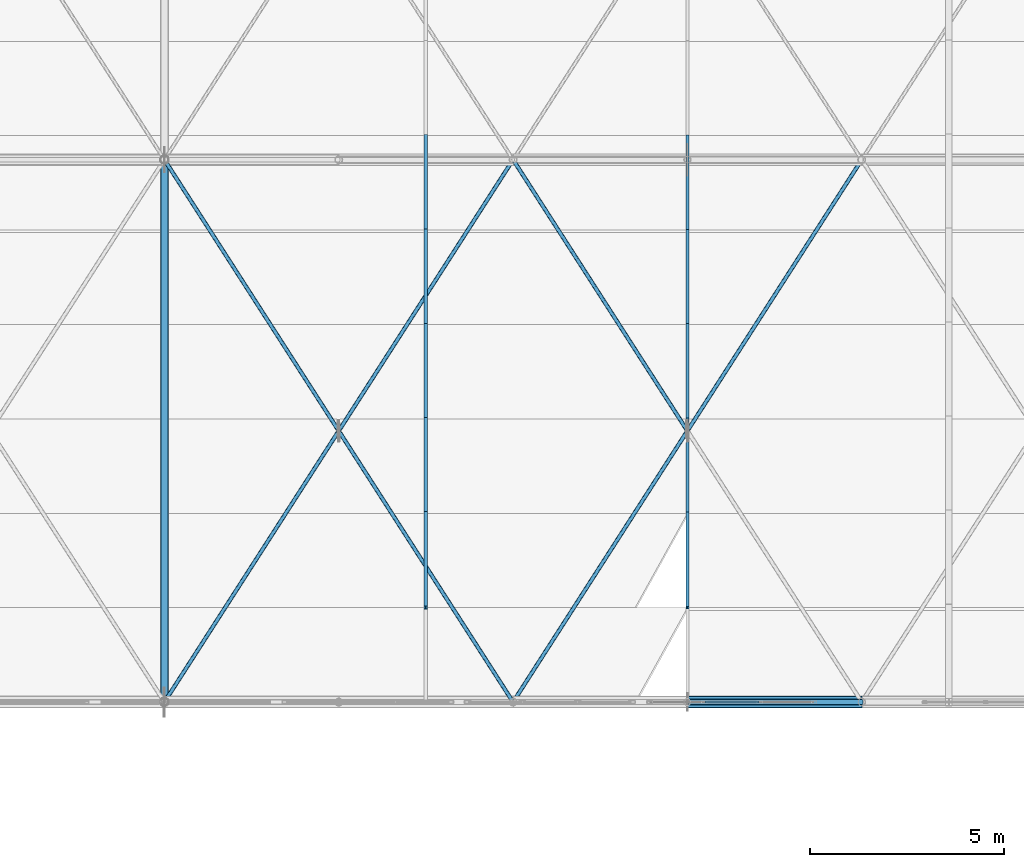
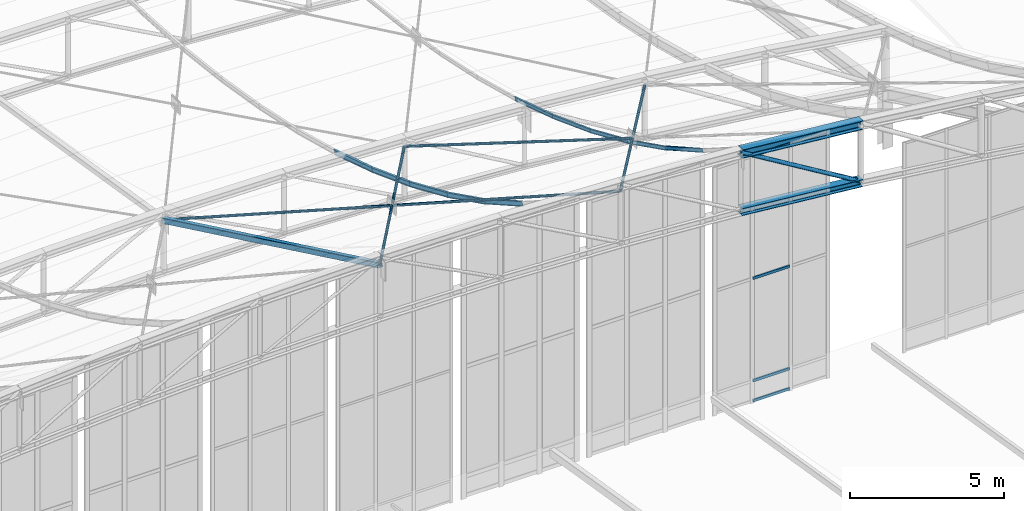
# One storey, part 149 of 262: 23 members, 1 element without a shape of its own.
"""IFC4 building model written with IfcOpenShell, lengths in metres."""

from ifc_helpers import new_model, si_unit, derived_unit, direction, frame, origin, origin_2d, place, context, subcontext, project, spatial, hollow_rectangle, hollow_circle, i_section, extrude, material, layer, layer_set, material_profile, profile_set, type_object, element, aggregate, save


model = new_model("IFC4")

# Units and contexts
model_context = context("Model", 3, precision=1e-05, world=origin(), true_north=direction((0.0, 1.0)))
body_context = subcontext(model_context, "Body", "Model", "MODEL_VIEW")
ifc_project = project(units=[si_unit("LENGTHUNIT", "METRE"), si_unit("AREAUNIT", "SQUARE_METRE"), si_unit("VOLUMEUNIT", "CUBIC_METRE"), si_unit("PLANEANGLEUNIT", "RADIAN"), si_unit("MASSUNIT", "GRAM", prefix="KILO"), derived_unit("THERMALTRANSMITTANCEUNIT", [(si_unit("POWERUNIT", "WATT"), 1), (si_unit("LENGTHUNIT", "METRE"), -2), (si_unit("THERMODYNAMICTEMPERATUREUNIT", "KELVIN"), -1)])], contexts=[model_context])

# Site, building, storey
site_placement = place(None, origin())
site = spatial("IfcSite", under=ifc_project, at=site_placement, CompositionType="ELEMENT")
building_placement = place(site_placement, origin())
building = spatial("IfcBuilding", under=site, at=building_placement, Name="Almenara Railside Exhibition Hall", CompositionType="ELEMENT")
storey_placement = place(building_placement, frame((0.0, 0.0, 21.699951171875)))
storey = spatial("IfcBuildingStorey", under=building, at=storey_placement, Name="RF", CompositionType="ELEMENT", Elevation=21.699951171875)

# Members
ifc_material_1 = material(Name="Structural steel S355JR", Category="steel")
ifc_material_profile_1 = material_profile(ifc_material_1, i_section(OverallWidth=0.280029296875, OverallDepth=0.280029296875, WebThickness=0.010498046875, FlangeThickness=0.01806640625, FilletRadius=0.02392578125, at=origin_2d()), Name="HEB 280")
ifc_profile_set_1 = profile_set([ifc_material_profile_1], Name="Structural steel S355JR")
member_type_1 = type_object("IfcMemberType", Name="Arched Gable Bottom Chord HEB 280 S355JR", PredefinedType="CHORD", material=ifc_profile_set_1)
member_1_placement = place(storey_placement, frame((178.5, 34.0, 1.050048828125), z_axis=(0.995512933083, 0.0, -0.094625578275), x_axis=(0.0, 1.0, 0.0)))
element("IfcMember", 1, at=member_1_placement, inside=storey, type_object=member_type_1, Name="MEM-BC-V2-00-09", PredefinedType="CHORD", context=body_context, shape_type="SweptSolid", body=[
    extrude(i_section(OverallWidth=0.280029296875, OverallDepth=0.280029296875, WebThickness=0.010498046875, FlangeThickness=0.01806640625, FilletRadius=0.02392578125, at=origin_2d()), origin(), (0.0, 0.0, 1.0), 4.520263671875),
])
ifc_material_profile_2 = material_profile(ifc_material_1, i_section(OverallWidth=0.300048828125, OverallDepth=0.340087890625, WebThickness=0.011962890625, FlangeThickness=0.021484375, FilletRadius=0.027099609375, at=origin_2d()), Name="HEB 340")
ifc_profile_set_2 = profile_set([ifc_material_profile_2], Name="Structural steel S355JR")
member_type_2 = type_object("IfcMemberType", Name="Arched Gable Top Chord HEB 340 S355JR", PredefinedType="CHORD", material=ifc_profile_set_2)
member_2_placement = place(storey_placement, frame((178.5, 34.0, 3.35009765625), z_axis=(0.995512933083, 0.0, -0.094625578275), x_axis=(0.0, 1.0, 0.0)))
element("IfcMember", 2, at=member_2_placement, inside=storey, type_object=member_type_2, Name="MEM-TC-V2-00-09", PredefinedType="CHORD", context=body_context, shape_type="SweptSolid", body=[
    extrude(i_section(OverallWidth=0.300048828125, OverallDepth=0.340087890625, WebThickness=0.011962890625, FlangeThickness=0.021484375, FilletRadius=0.027099609375, at=origin_2d()), origin(), (0.0, 0.0, 1.0), 4.520263671875),
])
ifc_material_profile_3 = material_profile(ifc_material_1, i_section(OverallWidth=0.072998046875, OverallDepth=0.139892578125, WebThickness=0.004638671875, FlangeThickness=0.0068359375, FilletRadius=0.007080078125, at=origin_2d()), Name="IPE 140")
ifc_profile_set_3 = profile_set([ifc_material_profile_3], Name="Structural steel S355JR")
member_type_3 = type_object("IfcMemberType", Name="Canopy Edge Purlin IPE 140 S355JR", PredefinedType="PURLIN", material=ifc_profile_set_3)
member_3_placement = place(storey_placement, frame((178.5, 36.436767578125, 1.9375), z_axis=(0.0, 0.870445855666, -0.492264169277), x_axis=(-1.0, 0.0, 0.0)))
element("IfcMember", 3, at=member_3_placement, inside=storey, type_object=member_type_3, Name="MEM-PR-V2-PR-IPE140-06-01", PredefinedType="PURLIN", context=body_context, shape_type="SweptSolid", body=[
    extrude(i_section(OverallWidth=0.072998046875, OverallDepth=0.139892578125, WebThickness=0.004638671875, FlangeThickness=0.0068359375, FilletRadius=0.007080078125, at=origin_2d()), origin(), (0.0, 0.0, 1.0), 2.799072265625),
])
member_4_placement = place(storey_placement, frame((178.5, 38.873291015625, 0.55078125), z_axis=(0.0, 0.895376074457, -0.445310773831), x_axis=(-1.0, 0.0, 0.0)))
element("IfcMember", 4, at=member_4_placement, inside=storey, type_object=member_type_3, Name="MEM-PR-V2-PR-IPE140-06-02", PredefinedType="PURLIN", context=body_context, shape_type="SweptSolid", body=[
    extrude(i_section(OverallWidth=0.072998046875, OverallDepth=0.139892578125, WebThickness=0.004638671875, FlangeThickness=0.0068359375, FilletRadius=0.007080078125, at=origin_2d()), origin(), (0.0, 0.0, 1.0), 2.721435546875),
])
member_5_placement = place(storey_placement, frame((178.5, 41.31005859375, -0.654052734375), z_axis=(0.0, 0.917189812532, -0.398450558775), x_axis=(-1.0, 0.0, 0.0)))
element("IfcMember", 5, at=member_5_placement, inside=storey, type_object=member_type_3, Name="MEM-PR-V2-PR-IPE140-06-03", PredefinedType="PURLIN", context=body_context, shape_type="SweptSolid", body=[
    extrude(i_section(OverallWidth=0.072998046875, OverallDepth=0.139892578125, WebThickness=0.004638671875, FlangeThickness=0.0068359375, FilletRadius=0.007080078125, at=origin_2d()), origin(), (0.0, 0.0, 1.0), 2.65673828125),
])
member_6_placement = place(storey_placement, frame((178.5, 43.746826171875, -1.706787109375), z_axis=(0.0, 0.936171044044, -0.351544842508), x_axis=(-1.0, 0.0, 0.0)))
element("IfcMember", 6, at=member_6_placement, inside=storey, type_object=member_type_3, Name="MEM-PR-V2-PR-IPE140-06-04", PredefinedType="PURLIN", context=body_context, shape_type="SweptSolid", body=[
    extrude(i_section(OverallWidth=0.072998046875, OverallDepth=0.139892578125, WebThickness=0.004638671875, FlangeThickness=0.0068359375, FilletRadius=0.007080078125, at=origin_2d()), origin(), (0.0, 0.0, 1.0), 2.60302734375),
])
member_7_placement = place(storey_placement, frame((178.5, 46.18359375, -2.616943359375), z_axis=(0.0, 0.952468462339, -0.304637207594), x_axis=(-1.0, 0.0, 0.0)))
element("IfcMember", 7, at=member_7_placement, inside=storey, type_object=member_type_3, Name="MEM-PR-V2-PR-IPE140-06-05", PredefinedType="PURLIN", context=body_context, shape_type="SweptSolid", body=[
    extrude(i_section(OverallWidth=0.072998046875, OverallDepth=0.139892578125, WebThickness=0.004638671875, FlangeThickness=0.0068359375, FilletRadius=0.007080078125, at=origin_2d()), origin(), (0.0, 0.0, 1.0), 2.55810546875),
])

# Curtain wall, members
ifc_material_2 = material(Name="Bronze-anodised aluminium and low-E double glazing", Category="aluminium")
ifc_layer = layer(ifc_material_2, 0.179931640625, Name="Bronze-anodised aluminium and low-E double glazing")
ifc_layer_set = layer_set([ifc_layer], Name="Bronze-anodised aluminium and low-E double glazing")
curtain_wall_type = type_object("IfcCurtainWallType", Name="Scroll Gable Tall Curtain Wall 3800x5400", PredefinedType="NOTDEFINED", material=ifc_layer_set)
curtain_wall_placement = place(storey_placement, origin())
curtain_wall = element("IfcCurtainWall", 8, at=curtain_wall_placement, inside=storey, type_object=curtain_wall_type, Name="Curtain wall CW-G1-222", PredefinedType="NOTDEFINED")
ifc_material_3 = material(Name="Bronze-anodised aluminium", Category="aluminium")
ifc_material_profile_4 = material_profile(ifc_material_3, hollow_rectangle(XDim=0.06005859375, YDim=0.110107421875, WallThickness=0.0029296875, InnerFilletRadius=0.0029296875, OuterFilletRadius=0.006103515625, at=origin_2d()), Name="ALU-TRN 60x110x3")
ifc_profile_set_4 = profile_set([ifc_material_profile_4], Name="Bronze-anodised aluminium")
member_type_4 = type_object("IfcMemberType", Name="Curtain Wall Transom 60x110x3", PredefinedType="USERDEFINED", material=ifc_profile_set_4)
member_8_placement = place(storey_placement, frame((178.955322265625, 34.0, -6.64501953125), z_axis=(1.0, 0.0, 0.0), x_axis=(0.0, 1.0, 0.0)))
member_8 = element("IfcMember", 9, at=member_8_placement, type_object=member_type_4, Name="CW-G1-222 transom 2.1", ObjectType="TRANSOM", PredefinedType="USERDEFINED", context=body_context, shape_type="SweptSolid", body=[
    extrude(hollow_rectangle(XDim=0.06005859375, YDim=0.110107421875, WallThickness=0.0029296875, InnerFilletRadius=0.0029296875, OuterFilletRadius=0.006103515625, at=origin_2d()), origin(), (0.0, 0.0, 1.0), 1.389404296875),
])
member_9_placement = place(storey_placement, frame((178.955322265625, 34.0, -5.849853515625), z_axis=(1.0, 0.0, 0.0), x_axis=(0.0, 1.0, 0.0)))
member_9 = element("IfcMember", 10, at=member_9_placement, type_object=member_type_4, Name="CW-G1-222 transom 2.2", ObjectType="TRANSOM", PredefinedType="USERDEFINED", context=body_context, shape_type="SweptSolid", body=[
    extrude(hollow_rectangle(XDim=0.06005859375, YDim=0.110107421875, WallThickness=0.0029296875, InnerFilletRadius=0.0029296875, OuterFilletRadius=0.006103515625, at=origin_2d()), origin(), (0.0, 0.0, 1.0), 1.389404296875),
])
member_10_placement = place(storey_placement, frame((178.955322265625, 34.0, -1.800048828125), z_axis=(1.0, 0.0, 0.0), x_axis=(0.0, 1.0, 0.0)))
member_10 = element("IfcMember", 11, at=member_10_placement, type_object=member_type_4, Name="CW-G1-222 transom 2.3", ObjectType="TRANSOM", PredefinedType="USERDEFINED", context=body_context, shape_type="SweptSolid", body=[
    extrude(hollow_rectangle(XDim=0.06005859375, YDim=0.110107421875, WallThickness=0.0029296875, InnerFilletRadius=0.0029296875, OuterFilletRadius=0.006103515625, at=origin_2d()), origin(), (0.0, 0.0, 1.0), 1.389404296875),
])
member_11_placement = place(storey_placement, frame((178.955322265625, 34.0, 3.045166015625), z_axis=(1.0, 0.0, 0.0), x_axis=(0.0, 1.0, 0.0)))
member_11 = element("IfcMember", 12, at=member_11_placement, type_object=member_type_4, Name="CW-G1-222 transom 2.4", ObjectType="TRANSOM", PredefinedType="USERDEFINED", context=body_context, shape_type="SweptSolid", body=[
    extrude(hollow_rectangle(XDim=0.06005859375, YDim=0.110107421875, WallThickness=0.0029296875, InnerFilletRadius=0.0029296875, OuterFilletRadius=0.006103515625, at=origin_2d()), origin(), (0.0, 0.0, 1.0), 1.389404296875),
])
aggregate(curtain_wall, [member_8, member_9, member_10, member_11])

# Members
ifc_material_profile_5 = material_profile(ifc_material_1, hollow_rectangle(XDim=0.199951171875, YDim=0.199951171875, WallThickness=0.008056640625, InnerFilletRadius=0.008056640625, OuterFilletRadius=0.01611328125, at=origin_2d()), Name="SHS 200x200x8")
ifc_profile_set_5 = profile_set([ifc_material_profile_5], Name="Structural steel S355JR")
member_type_5 = type_object("IfcMemberType", Name="Eaves Sway Strut SHS 200x200x8 S355JR", PredefinedType="BRACE", material=ifc_profile_set_5)
member_12_placement = place(storey_placement, frame((165.0, 34.0, 3.6201171875), z_axis=(0.0, 0.901609647844, -0.432550624683), x_axis=(-1.0, 0.0, 0.0)))
element("IfcMember", 13, at=member_12_placement, inside=storey, type_object=member_type_5, Name="MEM-ES-V2-00", PredefinedType="BRACE", context=body_context, shape_type="SweptSolid", body=[
    extrude(hollow_rectangle(XDim=0.199951171875, YDim=0.199951171875, WallThickness=0.008056640625, InnerFilletRadius=0.008056640625, OuterFilletRadius=0.01611328125, at=origin_2d()), origin(), (0.0, 0.0, 1.0), 15.52783203125),
])
ifc_material_profile_6 = material_profile(ifc_material_1, i_section(OverallWidth=0.091064453125, OverallDepth=0.179931640625, WebThickness=0.00537109375, FlangeThickness=0.008056640625, FilletRadius=0.009033203125, at=origin_2d()), Name="IPE 180")
ifc_profile_set_6 = profile_set([ifc_material_profile_6], Name="Structural steel S355JR")
member_type_6 = type_object("IfcMemberType", Name="Plenary Roof Purlin IPE 180 S355JR", PredefinedType="PURLIN", material=ifc_profile_set_6)
member_13_placement = place(storey_placement, frame((171.75, 36.436767578125, 2.190673828125), z_axis=(0.0, 0.870483227181, -0.492198081261), x_axis=(-1.0, 0.0, 0.0)))
element("IfcMember", 14, at=member_13_placement, inside=storey, type_object=member_type_6, Name="MEM-PR-V2-PR-IPE180-05-01", PredefinedType="PURLIN", context=body_context, shape_type="SweptSolid", body=[
    extrude(i_section(OverallWidth=0.091064453125, OverallDepth=0.179931640625, WebThickness=0.00537109375, FlangeThickness=0.008056640625, FilletRadius=0.009033203125, at=origin_2d()), origin(), (0.0, 0.0, 1.0), 2.799072265625),
])
member_14_placement = place(storey_placement, frame((171.75, 38.873291015625, 0.804931640625), z_axis=(0.0, 0.895376074457, -0.445310773831), x_axis=(-1.0, 0.0, 0.0)))
element("IfcMember", 15, at=member_14_placement, inside=storey, type_object=member_type_6, Name="MEM-PR-V2-PR-IPE180-05-02", PredefinedType="PURLIN", context=body_context, shape_type="SweptSolid", body=[
    extrude(i_section(OverallWidth=0.091064453125, OverallDepth=0.179931640625, WebThickness=0.00537109375, FlangeThickness=0.008056640625, FilletRadius=0.009033203125, at=origin_2d()), origin(), (0.0, 0.0, 1.0), 2.721435546875),
])
member_15_placement = place(storey_placement, frame((171.75, 41.31005859375, -0.3994140625), z_axis=(0.0, 0.917189812532, -0.398450558775), x_axis=(-1.0, 0.0, 0.0)))
element("IfcMember", 16, at=member_15_placement, inside=storey, type_object=member_type_6, Name="MEM-PR-V2-PR-IPE180-05-03", PredefinedType="PURLIN", context=body_context, shape_type="SweptSolid", body=[
    extrude(i_section(OverallWidth=0.091064453125, OverallDepth=0.179931640625, WebThickness=0.00537109375, FlangeThickness=0.008056640625, FilletRadius=0.009033203125, at=origin_2d()), origin(), (0.0, 0.0, 1.0), 2.65673828125),
])
member_16_placement = place(storey_placement, frame((171.75, 43.746826171875, -1.45166015625), z_axis=(0.0, 0.936171044044, -0.351544842508), x_axis=(-1.0, 0.0, 0.0)))
element("IfcMember", 17, at=member_16_placement, inside=storey, type_object=member_type_6, Name="MEM-PR-V2-PR-IPE180-05-04", PredefinedType="PURLIN", context=body_context, shape_type="SweptSolid", body=[
    extrude(i_section(OverallWidth=0.091064453125, OverallDepth=0.179931640625, WebThickness=0.00537109375, FlangeThickness=0.008056640625, FilletRadius=0.009033203125, at=origin_2d()), origin(), (0.0, 0.0, 1.0), 2.60302734375),
])
member_17_placement = place(storey_placement, frame((171.75, 46.18359375, -2.361572265625), z_axis=(0.0, 0.952440767254, -0.304723784553), x_axis=(-1.0, 0.0, 0.0)))
element("IfcMember", 18, at=member_17_placement, inside=storey, type_object=member_type_6, Name="MEM-PR-V2-PR-IPE180-05-05", PredefinedType="PURLIN", context=body_context, shape_type="SweptSolid", body=[
    extrude(i_section(OverallWidth=0.091064453125, OverallDepth=0.179931640625, WebThickness=0.00537109375, FlangeThickness=0.008056640625, FilletRadius=0.009033203125, at=origin_2d()), origin(), (0.0, 0.0, 1.0), 2.55810546875),
])
ifc_material_profile_7 = material_profile(ifc_material_1, hollow_circle(Radius=0.05078125, WallThickness=0.00390625, at=origin_2d()), Name="CHS 101.6x4")
ifc_profile_set_7 = profile_set([ifc_material_profile_7], Name="Structural steel S355JR")
member_type_7 = type_object("IfcMemberType", Name="Scroll Wind Plan Brace CHS 101.6x4 S355JR", PredefinedType="BRACE", material=ifc_profile_set_7)
member_18_placement = place(storey_placement, frame((165.0, 34.0, 3.6201171875), z_axis=(0.498881349565, 0.776037654879, -0.385853543804), x_axis=(-0.841178475377, 0.540757591313, 0.0)))
element("IfcMember", 19, at=member_18_placement, inside=storey, type_object=member_type_7, Name="MEM-WB-V2-WB-CHS102-00-06-C", PredefinedType="BRACE", context=body_context, shape_type="SweptSolid", body=[
    extrude(hollow_circle(Radius=0.05078125, WallThickness=0.00390625, at=origin_2d()), origin(), (0.0, 0.0, 1.0), 18.040283203125),
])
for number, where, z_axis, x_axis, name in (
    (20, (174.0, 34.0, 3.375732421875), (-0.503997111592, 0.783989393086, -0.362419015831), (-0.841176557162, -0.540760575191, 0.0), "MEM-WB-V2-WB-CHS102-00-06-S1"),
    (21, (169.472412109375, 41.04296875, 0.11962890625), (-0.503997111592, 0.783989393086, -0.362419015831), (-0.841176557162, -0.540760575191, 0.0), "MEM-WB-V2-WB-CHS102-00-06-S2"),
):
    element("IfcMember", number, at=place(storey_placement, frame(where, z_axis=z_axis, x_axis=x_axis)), inside=storey, type_object=member_type_7, Name=name, PredefinedType="BRACE", context=body_context, shape_type="SweptSolid", body=[
        extrude(hollow_circle(Radius=0.05078125, WallThickness=0.00390625, at=origin_2d()), origin(), (0.0, 0.0, 1.0), 8.873779296875),
    ])
member_19_placement = place(storey_placement, frame((174.0, 34.0, 3.375732421875), z_axis=(0.493566331867, 0.767769849571, -0.40856056361), x_axis=(-0.841178475377, 0.540757591313, 0.0)))
element("IfcMember", 22, at=member_19_placement, inside=storey, type_object=member_type_7, Name="MEM-WB-V2-WB-CHS102-00-08-C", PredefinedType="BRACE", context=body_context, shape_type="SweptSolid", body=[
    extrude(hollow_circle(Radius=0.05078125, WallThickness=0.00390625, at=origin_2d()), origin(), (0.0, 0.0, 1.0), 18.234619140625),
])
member_20_placement = place(storey_placement, frame((178.47216796875, 41.04345703125, -0.36767578125), z_axis=(-0.508880288345, 0.79157303942, -0.338308993966), x_axis=(-0.841172720323, -0.540766543514, 0.0)))
element("IfcMember", 23, at=member_20_placement, inside=storey, type_object=member_type_7, Name="MEM-WB-V2-WB-CHS102-00-08-S2", PredefinedType="BRACE", context=body_context, shape_type="SweptSolid", body=[
    extrude(hollow_circle(Radius=0.05078125, WallThickness=0.00390625, at=origin_2d()), origin(), (0.0, 0.0, 1.0), 8.788330078125),
])
ifc_material_profile_8 = material_profile(ifc_material_1, hollow_circle(Radius=0.076171875, WallThickness=0.0048828125, at=origin_2d()), Name="CHS 152.4x5")
ifc_profile_set_8 = profile_set([ifc_material_profile_8], Name="Structural steel S355JR")
member_type_8 = type_object("IfcMemberType", Name="Truss Mid Diagonal CHS 152.4x5 S355JR", PredefinedType="BRACE", material=ifc_profile_set_8)
member_21_placement = place(storey_placement, frame((178.5, 34.0, 3.35009765625), z_axis=(0.855154829777, 0.0, -0.518372662386), x_axis=(0.0, 1.0, 0.0)))
element("IfcMember", 24, at=member_21_placement, inside=storey, type_object=member_type_8, Name="MEM-TD-V2-00-09", PredefinedType="BRACE", context=body_context, shape_type="SweptSolid", body=[
    extrude(hollow_circle(Radius=0.076171875, WallThickness=0.0048828125, at=origin_2d()), origin(), (0.0, 0.0, 1.0), 5.26220703125),
])

save(model, "model.ifc")
